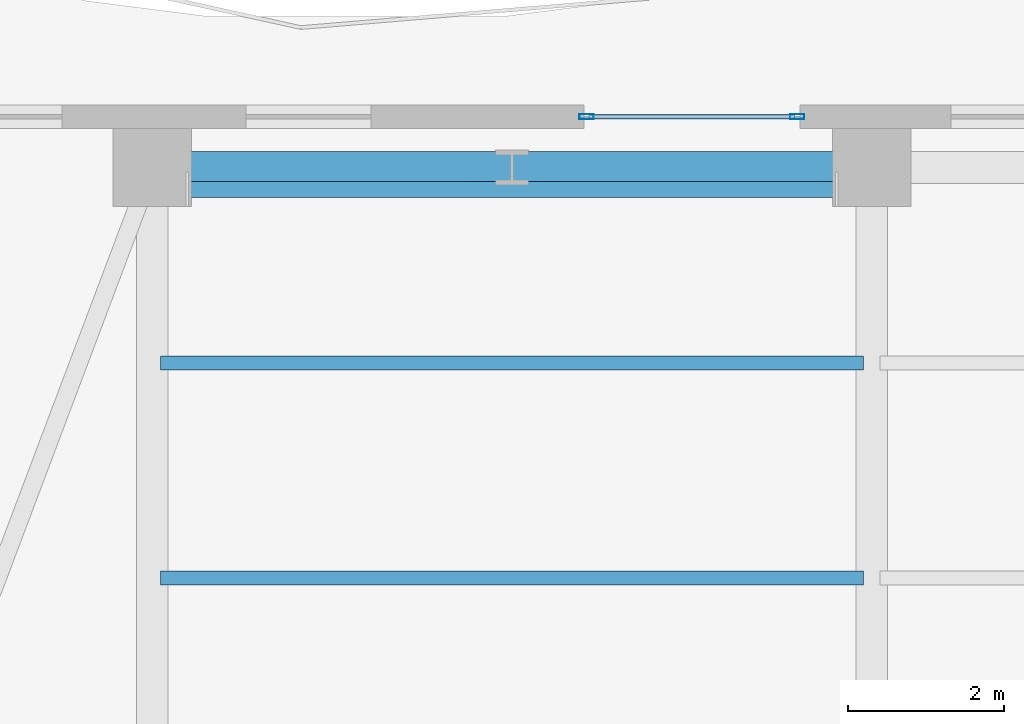
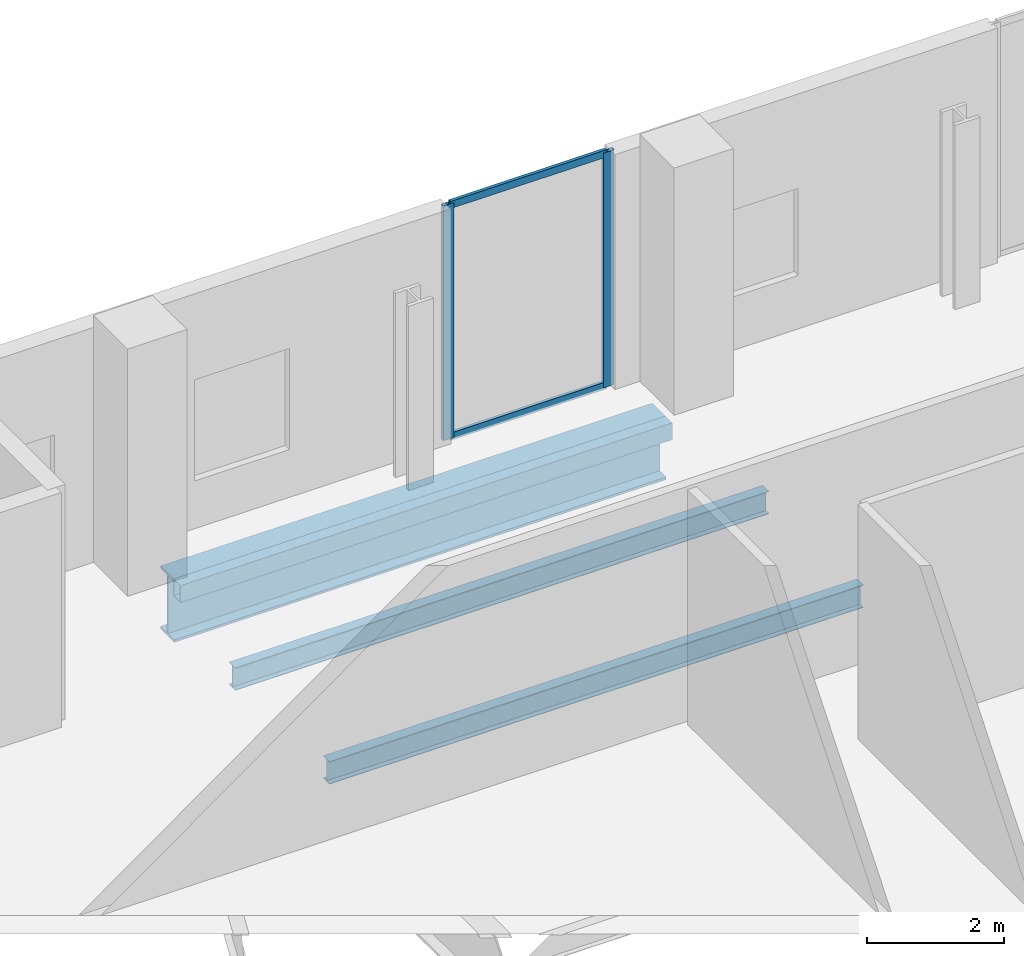
# One storey, part 12 of 24: 4 beams, 4 members, 1 element without a shape of its own.
"""IFC4 building model written with IfcOpenShell, lengths in metres."""

import ifcopenshell
import ifcopenshell.guid

model = None  # the IFC model being written
_history = None  # IfcOwnerHistory: only IFC2X3 demands one
_inside = {}  # id of a spatial element -> (the spatial element, [elements in it])
_under = {}  # id of a project, library or spatial element -> (it, [spatial elements below it])
_declared = {}  # id of a project -> (the project, [libraries it declares])
_typed = {}  # id of a type object -> (the type object, [elements of that type])
_made_of = {}  # id of a material, layer set ... -> (it, [elements and type objects made of it])


def new_model(schema):
    """Start an empty IFC model of exactly this schema.

    Asked for "IFC4X3", IfcOpenShell would pick the latest addendum, in which some entities
    have other attributes; the version numbers below select the first issue.
    IFC2X3 requires an IfcOwnerHistory on every rooted entity: one is made here for all.
    """
    global model, _history
    if schema == "IFC4X3":
        model = ifcopenshell.file(schema_version=(4, 3, 0, 0))
    else:
        model = ifcopenshell.file(schema=schema)
    _inside.clear()
    _under.clear()
    _declared.clear()
    _typed.clear()
    _made_of.clear()
    _history = None
    if model.schema == "IFC2X3":
        org = make("IfcOrganization", Name="unknown")
        user = make(
            "IfcPersonAndOrganization",
            ThePerson=make("IfcPerson", FamilyName="unknown"),
            TheOrganization=org,
        )
        app = make(
            "IfcApplication",
            ApplicationDeveloper=org,
            Version="unknown",
            ApplicationFullName="unknown",
            ApplicationIdentifier="unknown",
        )
        _history = make(
            "IfcOwnerHistory",
            OwningUser=user,
            OwningApplication=app,
            ChangeAction="ADDED",
            CreationDate=0,
        )
    return model


def make(cls, **values):
    """One entity of the class cls with the attributes given. An attribute that is None is left unset."""
    return model.create_entity(
        cls, **{name: value for name, value in values.items() if value is not None}
    )


def rooted(cls, **values):
    """An entity with a GlobalId (a new one), such as an element, a storey or a relation."""
    return make(cls, GlobalId=ifcopenshell.guid.new(), OwnerHistory=_history, **values)


def si_unit(unit_type, name, prefix=None):
    """IfcSIUnit, for example si_unit("LENGTHUNIT", "METRE", prefix="MILLI")."""
    return make("IfcSIUnit", UnitType=unit_type, Prefix=prefix, Name=name)


def assignment(units):
    """IfcUnitAssignment: the units of a project."""
    return None if units is None else make("IfcUnitAssignment", Units=units)


def point(xyz):
    """IfcCartesianPoint."""
    return None if xyz is None else make("IfcCartesianPoint", Coordinates=xyz)


def direction(xyz):
    """IfcDirection."""
    return None if xyz is None else make("IfcDirection", DirectionRatios=xyz)


def frame(location, z_axis=None, x_axis=None):
    """IfcAxis2Placement3D, a coordinate frame: its origin and axes. An axis left out is left unset."""
    return make(
        "IfcAxis2Placement3D",
        Location=point(location),
        Axis=direction(z_axis),
        RefDirection=direction(x_axis),
    )


def frame_2d(location, x_axis=None):
    """IfcAxis2Placement2D, a coordinate frame in the plane: its origin and x axis."""
    return make(
        "IfcAxis2Placement2D", Location=point(location), RefDirection=direction(x_axis)
    )


def origin():
    """The frame at (0, 0, 0) with its axes left unset."""
    return frame((0.0, 0.0, 0.0))


def origin_2d():
    """The frame at (0, 0) in the plane with its x axis left unset."""
    return frame_2d((0.0, 0.0))


def place(relative_to, where):
    """IfcLocalPlacement: puts the frame where relative to a parent placement (None: the world)."""
    return make(
        "IfcLocalPlacement", PlacementRelTo=relative_to, RelativePlacement=where
    )


def context(
    kind, dimensions, precision=None, world=None, true_north=None, identifier=None
):
    """IfcGeometricRepresentationContext, for example the 3D "Model" context."""
    return make(
        "IfcGeometricRepresentationContext",
        ContextIdentifier=identifier,
        ContextType=kind,
        CoordinateSpaceDimension=dimensions,
        Precision=precision,
        WorldCoordinateSystem=world,
        TrueNorth=true_north,
    )


def subcontext(parent, identifier, kind, view, scale=None):
    """IfcGeometricRepresentationSubContext, for example "Body" below "Model"."""
    return make(
        "IfcGeometricRepresentationSubContext",
        ContextIdentifier=identifier,
        ContextType=kind,
        ParentContext=parent,
        TargetScale=scale,
        TargetView=view,
    )


def project(units=None, contexts=None):
    """IfcProject with its units and contexts."""
    return rooted(
        "IfcProject",
        Name="project",
        RepresentationContexts=contexts,
        UnitsInContext=assignment(units),
    )


def spatial(cls, under=None, at=None, **own):
    """A site, building, storey or space (cls), placed at a placement, below another one or the project."""
    s = rooted(cls, ObjectPlacement=at, **own)
    if under is not None:
        _under.setdefault(under.id(), (under, []))[1].append(s)
    return s


def profile(cls, at=None, kind="AREA", **sizes):
    """A parametric profile (cls). Its sizes go by their IFC names, for example OverallWidth=200.0."""
    return make(cls, ProfileType=kind, Position=at, **sizes)


def hollow_rectangle(**sizes):
    """IfcRectangleHollowProfileDef."""
    return profile("IfcRectangleHollowProfileDef", **sizes)


def i_section(**sizes):
    """IfcIShapeProfileDef."""
    return profile("IfcIShapeProfileDef", **sizes)


def extrude(swept, where, along, depth):
    """IfcExtrudedAreaSolid: the profile swept, set in the frame where, extruded along a direction by depth."""
    return make(
        "IfcExtrudedAreaSolid",
        SweptArea=swept,
        Position=where,
        ExtrudedDirection=direction(along),
        Depth=depth,
    )


def shape(context_of_items, identifier, shape_type, items):
    """IfcShapeRepresentation: the items that make up one representation, for example the "Body"."""
    return make(
        "IfcShapeRepresentation",
        ContextOfItems=context_of_items,
        RepresentationIdentifier=identifier,
        RepresentationType=shape_type,
        Items=items,
    )


def material(Name=None, Category=None):
    """IfcMaterial."""
    return make("IfcMaterial", Name=Name, Category=Category)


def layer(
    of_material, thickness, ventilated=None, Name=None, Category=None, Priority=None
):
    """IfcMaterialLayer: one layer of a wall or slab, of a material (None: an air gap)."""
    return make(
        "IfcMaterialLayer",
        Material=of_material,
        LayerThickness=thickness,
        IsVentilated=ventilated,
        Name=Name,
        Category=Category,
        Priority=Priority,
    )


def layer_set(layers, Name=None):
    """IfcMaterialLayerSet."""
    return make("IfcMaterialLayerSet", MaterialLayers=layers, LayerSetName=Name)


def material_profile(
    of_material, cross_section, Name=None, Category=None, Priority=None
):
    """IfcMaterialProfile: a cross section and its material."""
    return make(
        "IfcMaterialProfile",
        Name=Name,
        Material=of_material,
        Profile=cross_section,
        Priority=Priority,
        Category=Category,
    )


def profile_set(profiles, Name=None, composite=None):
    """IfcMaterialProfileSet."""
    return make(
        "IfcMaterialProfileSet",
        Name=Name,
        MaterialProfiles=profiles,
        CompositeProfile=composite,
    )


def made_of(thing, what):
    """Note that an element or type object is made of a material, layer set ...; save() writes the relation."""
    if what is not None:
        _made_of.setdefault(what.id(), (what, []))[1].append(thing)
    return thing


def type_object(cls, material=None, **own):
    """A type object (cls), such as IfcWallType, which elements share."""
    return made_of(rooted(cls, **own), material)


def element(
    cls,
    number,
    at=None,
    inside=None,
    cuts=None,
    type_object=None,
    material=None,
    context=None,
    identifier="Body",
    shape_type=None,
    held_by="IfcProductDefinitionShape",
    body=None,
    shapes=None,
    **own,
):
    """One element of the class cls, such as IfcWall. Its Tag is "e" and its number.

    at: its placement. inside: the storey or other place that contains it. cuts: it is an
    opening in that element (IfcRelVoidsElement). A single representation is given by context,
    identifier, shape_type and body (its items); several are given by shapes. held_by: the class
    of the entity that holds the representations. save() writes the other relations.
    """
    e = rooted(cls, Tag="e%d" % number, ObjectPlacement=at, **own)
    if body is not None:
        shapes = [shape(context, identifier, shape_type, body)]
    if shapes is not None:
        e.Representation = make(held_by, Representations=shapes)
    if inside is not None:
        _inside.setdefault(inside.id(), (inside, []))[1].append(e)
    if cuts is not None:
        rooted(
            "IfcRelVoidsElement", RelatingBuildingElement=cuts, RelatedOpeningElement=e
        )
    if type_object is not None:
        _typed.setdefault(type_object.id(), (type_object, []))[1].append(e)
    return made_of(e, material)


def aggregate(whole, parts):
    """IfcRelAggregates: a whole, such as a stair, and the parts it consists of."""
    return rooted("IfcRelAggregates", RelatingObject=whole, RelatedObjects=parts)


def save(model, path):
    """Write the relations noted so far, then the file.

    IfcRelAggregates (storeys below a building ...), IfcRelContainedInSpatialStructure (elements
    in a storey), IfcRelDefinesByType, IfcRelAssociatesMaterial and IfcRelDeclares: one each for
    every whole, place, type object, material and project.
    """
    for whole, parts in _under.values():
        aggregate(whole, parts)
    for where, things in _inside.values():
        rooted(
            "IfcRelContainedInSpatialStructure",
            RelatedElements=things,
            RelatingStructure=where,
        )
    for kind, things in _typed.values():
        rooted("IfcRelDefinesByType", RelatedObjects=things, RelatingType=kind)
    for what, things in _made_of.values():
        rooted("IfcRelAssociatesMaterial", RelatedObjects=things, RelatingMaterial=what)
    for by, libraries in _declared.values():
        rooted("IfcRelDeclares", RelatingContext=by, RelatedDefinitions=libraries)
    model.write(path)


model = new_model("IFC4")

# Units and contexts
model_context = context("Model", 3, precision=1e-05, world=origin(), true_north=direction((0.0, 1.0)))
body_context = subcontext(model_context, "Body", "Model", "MODEL_VIEW")
ifc_project = project(units=[si_unit("LENGTHUNIT", "METRE"), si_unit("AREAUNIT", "SQUARE_METRE"), si_unit("VOLUMEUNIT", "CUBIC_METRE"), si_unit("PLANEANGLEUNIT", "RADIAN"), si_unit("MASSUNIT", "GRAM", prefix="KILO")], contexts=[model_context])

# Site, building, storey
site_placement = place(None, origin())
site = spatial("IfcSite", under=ifc_project, at=site_placement, CompositionType="ELEMENT")
building_placement = place(site_placement, origin())
building = spatial("IfcBuilding", under=site, at=building_placement, Name="Zuhayl Quay Hotel", CompositionType="ELEMENT")
storey_placement = place(building_placement, frame((0.0, 0.0, 284.050048828125)))
storey = spatial("IfcBuildingStorey", under=building, at=storey_placement, Name="L72", CompositionType="ELEMENT", Elevation=284.050048828125)

# Beams
ifc_material_1 = material(Name="Steel ASTM A992 Grade 50", Category="steel")
ifc_material_profile_1 = material_profile(ifc_material_1, i_section(OverallWidth=0.177978515625, OverallDepth=0.404052734375, WebThickness=0.007568359375, FlangeThickness=0.010986328125, at=origin_2d()), Name="W16X36")
ifc_profile_set_1 = profile_set([ifc_material_profile_1], Name="Steel ASTM A992 Grade 50")
beam_type_1 = type_object("IfcBeamType", Name="BM_J3_W16X36", PredefinedType="JOIST", material=ifc_profile_set_1)
for number, where, z_axis, x_axis, name in (
    (1, (-13.694091796875, 33.10009765625, -0.422119140625), (1.0, 0.0, 0.0), (0.0, 1.0, 0.0), "L72 Floor Beam FJ_L72_7_1"),
    (2, (-13.694091796875, 35.85009765625, -0.422119140625), (1.0, 0.0, 0.0), (0.0, 1.0, 0.0), "L72 Floor Beam FJ_L72_8_1"),
):
    element("IfcBeam", number, at=place(storey_placement, frame(where, z_axis=z_axis, x_axis=x_axis)), inside=storey, type_object=beam_type_1, Name=name, PredefinedType="JOIST", context=body_context, shape_type="SweptSolid", body=[
        extrude(i_section(OverallWidth=0.177978515625, OverallDepth=0.404052734375, WebThickness=0.007568359375, FlangeThickness=0.010986328125, at=origin_2d()), origin(), (0.0, 0.0, 1.0), 8.988037109375),
    ])
ifc_material_2 = material(Name="Steel ASTM A500 Grade C", Category="steel")
ifc_material_profile_2 = material_profile(ifc_material_2, hollow_rectangle(XDim=0.199951171875, YDim=0.300048828125, WallThickness=0.012451171875, at=origin_2d()), Name="HSS300X200X12")
ifc_profile_set_2 = profile_set([ifc_material_profile_2], Name="Steel ASTM A500 Grade C")
beam_type_2 = type_object("IfcBeamType", Name="BM_SP1_HSS300", PredefinedType="SPANDREL", material=ifc_profile_set_2)
beam_1_placement = place(storey_placement, frame((-13.340087890625, 38.070068359375, -0.3701171875), z_axis=(1.0, 0.0, 0.0), x_axis=(0.0, 1.0, 0.0)))
element("IfcBeam", 3, at=beam_1_placement, inside=storey, type_object=beam_type_2, Name="L72 Perimeter Spandrel Beam SP1-1", PredefinedType="SPANDREL", context=body_context, shape_type="SweptSolid", body=[
    extrude(hollow_rectangle(XDim=0.199951171875, YDim=0.300048828125, WallThickness=0.012451171875, at=origin_2d()), origin(), (0.0, 0.0, 1.0), 8.280029296875),
])
ifc_material_3 = material(Name="Steel ASTM A913 Grade 65", Category="steel")
ifc_material_profile_3 = material_profile(ifc_material_3, i_section(OverallWidth=0.404052734375, OverallDepth=1.117919921875, WebThickness=0.026123046875, FlangeThickness=0.044921875, at=origin_2d()), Name="W44X335")
ifc_profile_set_3 = profile_set([ifc_material_profile_3], Name="Steel ASTM A913 Grade 65")
beam_type_3 = type_object("IfcBeamType", Name="BM_TG1_W44X335", PredefinedType="BEAM", material=ifc_profile_set_3)
beam_2_placement = place(storey_placement, frame((-5.06005859375, 38.35009765625, -0.779052734375), z_axis=(-1.0, 0.0, 0.0), x_axis=(0.0, -1.0, 0.0)))
element("IfcBeam", 4, at=beam_2_placement, inside=storey, type_object=beam_type_3, Name="L72 Floor Beam RG_L72_09", PredefinedType="BEAM", context=body_context, shape_type="SweptSolid", body=[
    extrude(i_section(OverallWidth=0.404052734375, OverallDepth=1.117919921875, WebThickness=0.026123046875, FlangeThickness=0.044921875, at=origin_2d()), origin(), (0.0, 0.0, 1.0), 8.280029296875),
])

# Curtain wall, members
ifc_material_4 = material(Name="Anodised Aluminium 6063-T6", Category="aluminium")
ifc_layer = layer(ifc_material_4, 0.169921875, Name="Anodised Aluminium 6063-T6", Category="aluminium")
ifc_layer_set = layer_set([ifc_layer], Name="Anodised Aluminium 6063-T6")
curtain_wall_type = type_object("IfcCurtainWallType", Name="CW_SYS_Z4", PredefinedType="USERDEFINED", material=ifc_layer_set)
curtain_wall_placement = place(storey_placement, origin())
curtain_wall = element("IfcCurtainWall", 5, at=curtain_wall_placement, inside=storey, type_object=curtain_wall_type, Name="L72 Curtain Wall ENV_L72_N_CW1", ObjectType="UNITISED CURTAIN WALL", PredefinedType="USERDEFINED")
ifc_material_5 = material(Name="Black-anodised aluminium 6063-T6", Category="aluminium")
ifc_material_profile_4 = material_profile(ifc_material_5, hollow_rectangle(XDim=0.06494140625, YDim=0.179931640625, WallThickness=0.00341796875, at=origin_2d()), Name="ALU180X65")
ifc_profile_set_4 = profile_set([ifc_material_profile_4], Name="Black-anodised aluminium 6063-T6")
member_type_1 = type_object("IfcMemberType", Name="MB_CW_MUL_180", PredefinedType="MULLION", material=ifc_profile_set_4)
member_1_placement = place(storey_placement, frame((-8.24755859375, 39.0, 0.0), z_axis=(0.0, 0.0, 1.0), x_axis=(0.0, 1.0, 0.0)))
member_1 = element("IfcMember", 6, at=member_1_placement, type_object=member_type_1, Name="CW-Z4 mullion 1", PredefinedType="MULLION", context=body_context, shape_type="SweptSolid", body=[
    extrude(hollow_rectangle(XDim=0.06494140625, YDim=0.179931640625, WallThickness=0.00341796875, at=origin_2d()), origin(), (0.0, 0.0, 1.0), 4.179931640625),
])
member_2_placement = place(storey_placement, frame((-5.552490234375, 39.0, 0.0), z_axis=(0.0, 0.0, 1.0), x_axis=(0.0, 1.0, 0.0)))
member_2 = element("IfcMember", 7, at=member_2_placement, type_object=member_type_1, Name="CW-Z4 mullion 2", PredefinedType="MULLION", context=body_context, shape_type="SweptSolid", body=[
    extrude(hollow_rectangle(XDim=0.06494140625, YDim=0.179931640625, WallThickness=0.00341796875, at=origin_2d()), origin(), (0.0, 0.0, 1.0), 4.179931640625),
])
ifc_material_profile_5 = material_profile(ifc_material_5, hollow_rectangle(XDim=0.054931640625, YDim=0.1298828125, WallThickness=0.0029296875, at=origin_2d()), Name="ALU130X55")
ifc_profile_set_5 = profile_set([ifc_material_profile_5], Name="Black-anodised aluminium 6063-T6")
member_type_2 = type_object("IfcMemberType", Name="MB_CW_TRN_130", PredefinedType="USERDEFINED", material=ifc_profile_set_5)
member_3_placement = place(storey_placement, frame((-8.215087890625, 39.0, 0.02734375), z_axis=(1.0, 0.0, 0.0), x_axis=(0.0, 1.0, 0.0)))
member_3 = element("IfcMember", 8, at=member_3_placement, type_object=member_type_2, Name="CW-Z4 transom 1.1", ObjectType="TRANSOM", PredefinedType="USERDEFINED", context=body_context, shape_type="SweptSolid", body=[
    extrude(hollow_rectangle(XDim=0.054931640625, YDim=0.1298828125, WallThickness=0.0029296875, at=origin_2d()), origin(), (0.0, 0.0, 1.0), 2.630126953125),
])
member_4_placement = place(storey_placement, frame((-8.215087890625, 39.0, 4.15234375), z_axis=(1.0, 0.0, 0.0), x_axis=(0.0, 1.0, 0.0)))
member_4 = element("IfcMember", 9, at=member_4_placement, type_object=member_type_2, Name="CW-Z4 transom 1.2", ObjectType="TRANSOM", PredefinedType="USERDEFINED", context=body_context, shape_type="SweptSolid", body=[
    extrude(hollow_rectangle(XDim=0.054931640625, YDim=0.1298828125, WallThickness=0.0029296875, at=origin_2d()), origin(), (0.0, 0.0, 1.0), 2.630126953125),
])
aggregate(curtain_wall, [member_1, member_2, member_3, member_4])

save(model, "model.ifc")
